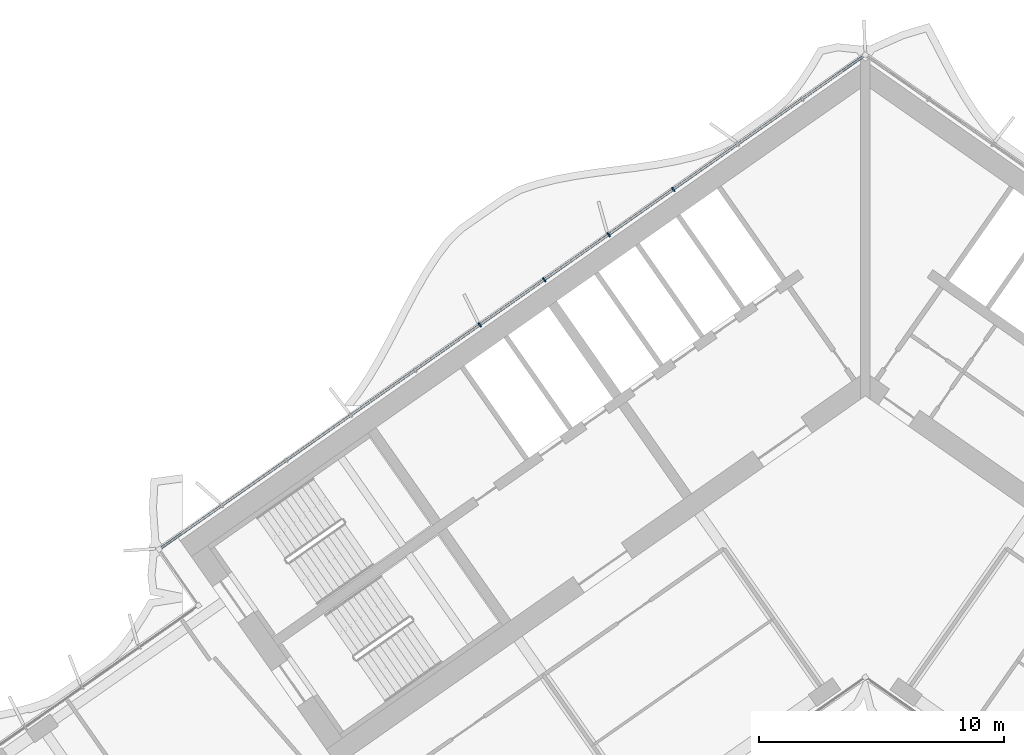
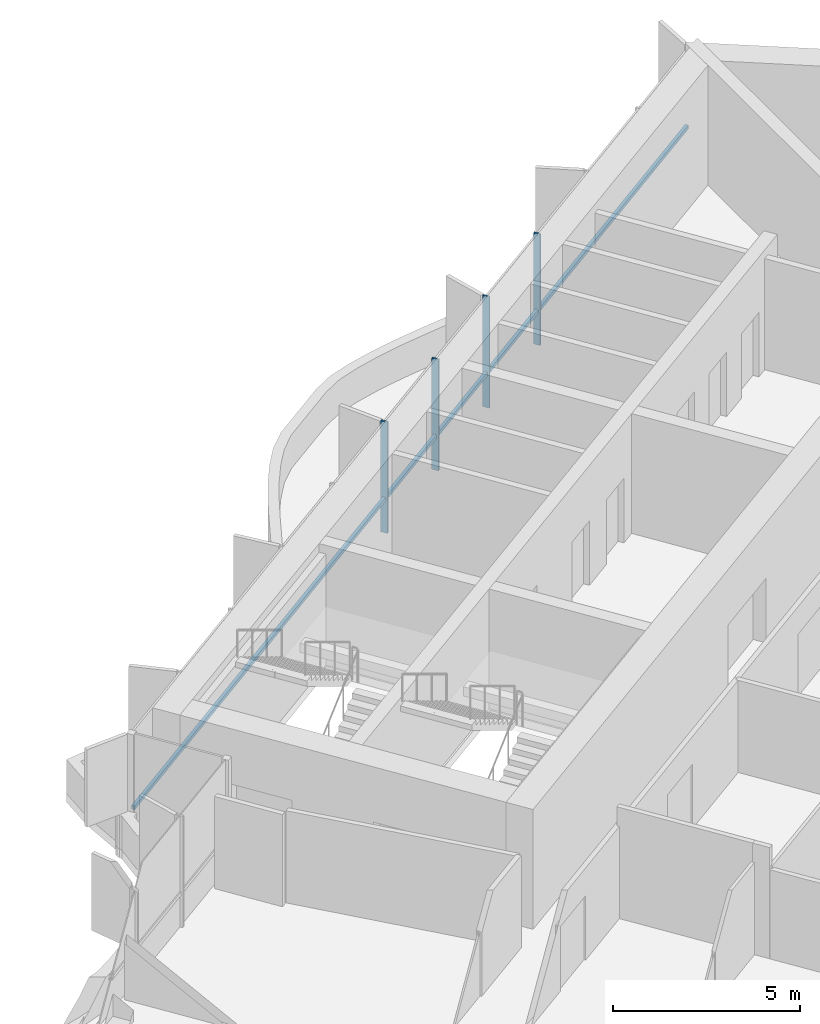
# One storey, part 7 of 23: 5 members, 1 element without a shape of its own.
"""IFC4 building model written with IfcOpenShell, lengths in metres."""

from ifc_helpers import new_model, si_unit, direction, frame, origin, origin_2d, place, context, subcontext, project, spatial, rectangle, extrude, material, material_profile, profile_set, type_object, element, aggregate, save


model = new_model("IFC4")

# Units and contexts
model_context = context("Model", 3, precision=1e-05, world=origin(), true_north=direction((0.0, 1.0)))
body_context = subcontext(model_context, "Body", "Model", "MODEL_VIEW")
ifc_project = project(units=[si_unit("LENGTHUNIT", "METRE"), si_unit("AREAUNIT", "SQUARE_METRE"), si_unit("VOLUMEUNIT", "CUBIC_METRE"), si_unit("PLANEANGLEUNIT", "RADIAN"), si_unit("MASSUNIT", "GRAM", prefix="KILO")], contexts=[model_context])

# Site, building, storey
site_placement = place(None, origin())
site = spatial("IfcSite", under=ifc_project, at=site_placement, CompositionType="ELEMENT")
building_placement = place(site_placement, origin())
building = spatial("IfcBuilding", under=site, at=building_placement, Name="Tel Ilan Convention Tower", CompositionType="ELEMENT")
storey_placement = place(building_placement, frame((0.0, 0.0, 190.5)))
storey = spatial("IfcBuildingStorey", under=building, at=storey_placement, Name="L44", CompositionType="ELEMENT", Elevation=190.5)

# Curtain wall, members
ifc_material_1 = material(Name="Aluminium, bronze anodised", Category="aluminium")
curtain_wall_type = type_object("IfcCurtainWallType", Name="CW2 STICK CURTAIN WALL, SPANDREL PANELS", PredefinedType="NOTDEFINED", material=ifc_material_1)
curtain_wall_placement = place(storey_placement, origin())
curtain_wall = element("IfcCurtainWall", 1, at=curtain_wall_placement, inside=storey, type_object=curtain_wall_type, Name="Curtain wall CW2-34.03", PredefinedType="NOTDEFINED")
ifc_material_2 = material(Name="Aluminium, bronze anodised", Category="aluminium")
ifc_material_profile_1 = material_profile(ifc_material_2, rectangle(XDim=0.06005859375, YDim=0.199951171875, at=origin_2d()), Name="CW MULLION 60x200")
ifc_profile_set_1 = profile_set([ifc_material_profile_1], Name="Aluminium, bronze anodised")
member_type_1 = type_object("IfcMemberType", Name="CW MULLION 60x200", PredefinedType="MULLION", material=ifc_profile_set_1)
member_1_placement = place(storey_placement, frame((-7.840576171875, 7.2060546875, 0.0), z_axis=(0.0, 0.0, 1.0), x_axis=(-0.819152044289, -0.573576436351, 0.0)))
member_1 = element("IfcMember", 2, at=member_1_placement, type_object=member_type_1, Name="Mullion", PredefinedType="MULLION", context=body_context, shape_type="SweptSolid", body=[
    extrude(rectangle(XDim=0.06005859375, YDim=0.199951171875, at=origin_2d()), origin(), (0.0, 0.0, 1.0), 3.6201171875),
])
member_2_placement = place(storey_placement, frame((-10.47314453125, 5.36279296875, 0.0), z_axis=(0.0, 0.0, 1.0), x_axis=(-0.819152044289, -0.573576436351, 0.0)))
member_2 = element("IfcMember", 3, at=member_2_placement, type_object=member_type_1, Name="Mullion", PredefinedType="MULLION", context=body_context, shape_type="SweptSolid", body=[
    extrude(rectangle(XDim=0.06005859375, YDim=0.199951171875, at=origin_2d()), origin(), (0.0, 0.0, 1.0), 3.6201171875),
])
member_3_placement = place(storey_placement, frame((-13.105712890625, 3.519287109375, 0.0), z_axis=(0.0, 0.0, 1.0), x_axis=(-0.819152044289, -0.573576436351, 0.0)))
member_3 = element("IfcMember", 4, at=member_3_placement, type_object=member_type_1, Name="Mullion", PredefinedType="MULLION", context=body_context, shape_type="SweptSolid", body=[
    extrude(rectangle(XDim=0.06005859375, YDim=0.199951171875, at=origin_2d()), origin(), (0.0, 0.0, 1.0), 3.6201171875),
])
member_4_placement = place(storey_placement, frame((-15.73828125, 1.676025390625, 0.0), z_axis=(0.0, 0.0, 1.0), x_axis=(-0.819152044289, -0.573576436351, 0.0)))
member_4 = element("IfcMember", 5, at=member_4_placement, type_object=member_type_1, Name="Mullion", PredefinedType="MULLION", context=body_context, shape_type="SweptSolid", body=[
    extrude(rectangle(XDim=0.06005859375, YDim=0.199951171875, at=origin_2d()), origin(), (0.0, 0.0, 1.0), 3.6201171875),
])
ifc_material_3 = material(Name="Aluminium, bronze anodised", Category="aluminium")
ifc_material_profile_2 = material_profile(ifc_material_3, rectangle(XDim=0.10009765625, YDim=0.1201171875, at=origin_2d()), Name="CW TRANSOM 100x120")
ifc_profile_set_2 = profile_set([ifc_material_profile_2], Name="Aluminium, bronze anodised")
member_type_2 = type_object("IfcMemberType", Name="CW TRANSOM 100x120", PredefinedType="USERDEFINED", material=ifc_profile_set_2)
member_5_placement = place(storey_placement, frame((-0.1064453125, 12.62158203125, 1.10009765625), z_axis=(-0.819150201937, -0.573579067494, 0.0), x_axis=(0.573579067494, -0.819150201937, 0.0)))
member_5 = element("IfcMember", 6, at=member_5_placement, type_object=member_type_2, Name="Transom", ObjectType="TRANSOM", PredefinedType="USERDEFINED", context=body_context, shape_type="SweptSolid", body=[
    extrude(rectangle(XDim=0.10009765625, YDim=0.1201171875, at=origin_2d()), origin(), (0.0, 0.0, 1.0), 34.9521484375),
])
aggregate(curtain_wall, [member_1, member_2, member_3, member_4, member_5])

save(model, "model.ifc")
